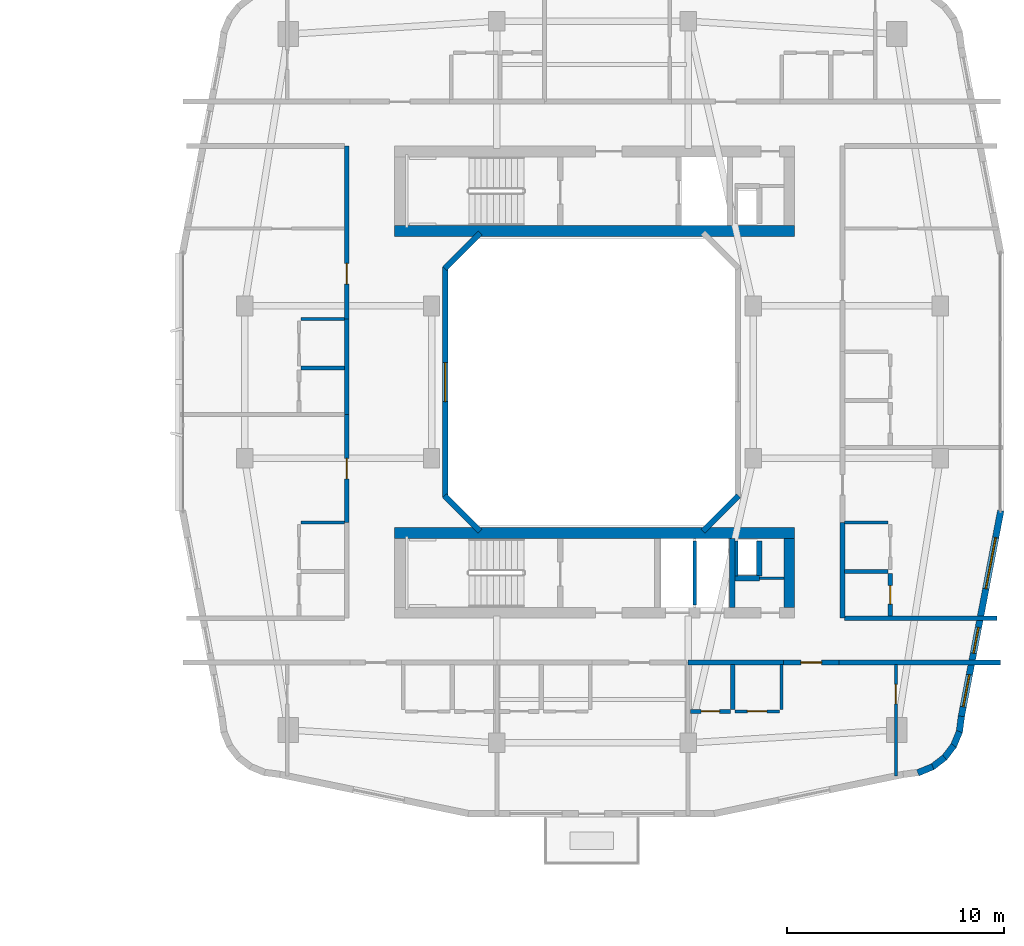
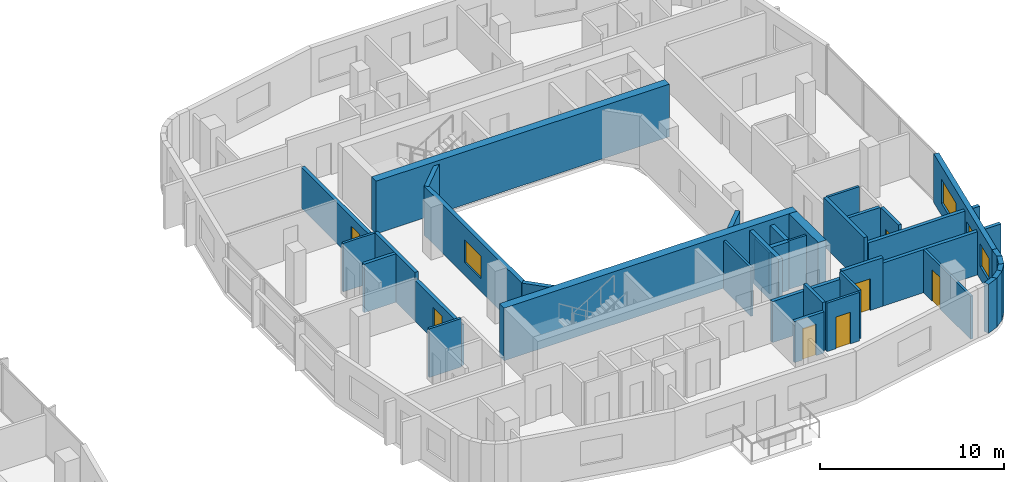
# One storey, part 14 of 22: 38 walls, 7 doors, 4 windows, 11 openings.
"""IFC4 building model written with IfcOpenShell, lengths in metres."""

import ifcopenshell
import ifcopenshell.guid

model = None  # the IFC model being written
_history = None  # IfcOwnerHistory: only IFC2X3 demands one
_inside = {}  # id of a spatial element -> (the spatial element, [elements in it])
_under = {}  # id of a project, library or spatial element -> (it, [spatial elements below it])
_declared = {}  # id of a project -> (the project, [libraries it declares])
_typed = {}  # id of a type object -> (the type object, [elements of that type])
_made_of = {}  # id of a material, layer set ... -> (it, [elements and type objects made of it])


def new_model(schema):
    """Start an empty IFC model of exactly this schema.

    Asked for "IFC4X3", IfcOpenShell would pick the latest addendum, in which some entities
    have other attributes; the version numbers below select the first issue.
    IFC2X3 requires an IfcOwnerHistory on every rooted entity: one is made here for all.
    """
    global model, _history
    if schema == "IFC4X3":
        model = ifcopenshell.file(schema_version=(4, 3, 0, 0))
    else:
        model = ifcopenshell.file(schema=schema)
    _inside.clear()
    _under.clear()
    _declared.clear()
    _typed.clear()
    _made_of.clear()
    _history = None
    if model.schema == "IFC2X3":
        org = make("IfcOrganization", Name="unknown")
        user = make(
            "IfcPersonAndOrganization",
            ThePerson=make("IfcPerson", FamilyName="unknown"),
            TheOrganization=org,
        )
        app = make(
            "IfcApplication",
            ApplicationDeveloper=org,
            Version="unknown",
            ApplicationFullName="unknown",
            ApplicationIdentifier="unknown",
        )
        _history = make(
            "IfcOwnerHistory",
            OwningUser=user,
            OwningApplication=app,
            ChangeAction="ADDED",
            CreationDate=0,
        )
    return model


def make(cls, **values):
    """One entity of the class cls with the attributes given. An attribute that is None is left unset."""
    return model.create_entity(
        cls, **{name: value for name, value in values.items() if value is not None}
    )


def rooted(cls, **values):
    """An entity with a GlobalId (a new one), such as an element, a storey or a relation."""
    return make(cls, GlobalId=ifcopenshell.guid.new(), OwnerHistory=_history, **values)


def si_unit(unit_type, name, prefix=None):
    """IfcSIUnit, for example si_unit("LENGTHUNIT", "METRE", prefix="MILLI")."""
    return make("IfcSIUnit", UnitType=unit_type, Prefix=prefix, Name=name)


def derived_unit(unit_type, elements):
    """IfcDerivedUnit: a product of units, each with its exponent."""
    return make(
        "IfcDerivedUnit",
        Elements=[
            make("IfcDerivedUnitElement", Unit=unit, Exponent=power)
            for unit, power in elements
        ],
        UnitType=unit_type,
    )


def assignment(units):
    """IfcUnitAssignment: the units of a project."""
    return None if units is None else make("IfcUnitAssignment", Units=units)


def point(xyz):
    """IfcCartesianPoint."""
    return None if xyz is None else make("IfcCartesianPoint", Coordinates=xyz)


def direction(xyz):
    """IfcDirection."""
    return None if xyz is None else make("IfcDirection", DirectionRatios=xyz)


def frame(location, z_axis=None, x_axis=None):
    """IfcAxis2Placement3D, a coordinate frame: its origin and axes. An axis left out is left unset."""
    return make(
        "IfcAxis2Placement3D",
        Location=point(location),
        Axis=direction(z_axis),
        RefDirection=direction(x_axis),
    )


def frame_2d(location, x_axis=None):
    """IfcAxis2Placement2D, a coordinate frame in the plane: its origin and x axis."""
    return make(
        "IfcAxis2Placement2D", Location=point(location), RefDirection=direction(x_axis)
    )


def origin():
    """The frame at (0, 0, 0) with its axes left unset."""
    return frame((0.0, 0.0, 0.0))


def place(relative_to, where):
    """IfcLocalPlacement: puts the frame where relative to a parent placement (None: the world)."""
    return make(
        "IfcLocalPlacement", PlacementRelTo=relative_to, RelativePlacement=where
    )


def context(
    kind, dimensions, precision=None, world=None, true_north=None, identifier=None
):
    """IfcGeometricRepresentationContext, for example the 3D "Model" context."""
    return make(
        "IfcGeometricRepresentationContext",
        ContextIdentifier=identifier,
        ContextType=kind,
        CoordinateSpaceDimension=dimensions,
        Precision=precision,
        WorldCoordinateSystem=world,
        TrueNorth=true_north,
    )


def subcontext(parent, identifier, kind, view, scale=None):
    """IfcGeometricRepresentationSubContext, for example "Body" below "Model"."""
    return make(
        "IfcGeometricRepresentationSubContext",
        ContextIdentifier=identifier,
        ContextType=kind,
        ParentContext=parent,
        TargetScale=scale,
        TargetView=view,
    )


def project(units=None, contexts=None):
    """IfcProject with its units and contexts."""
    return rooted(
        "IfcProject",
        Name="project",
        RepresentationContexts=contexts,
        UnitsInContext=assignment(units),
    )


def spatial(cls, under=None, at=None, **own):
    """A site, building, storey or space (cls), placed at a placement, below another one or the project."""
    s = rooted(cls, ObjectPlacement=at, **own)
    if under is not None:
        _under.setdefault(under.id(), (under, []))[1].append(s)
    return s


def profile(cls, at=None, kind="AREA", **sizes):
    """A parametric profile (cls). Its sizes go by their IFC names, for example OverallWidth=200.0."""
    return make(cls, ProfileType=kind, Position=at, **sizes)


def rectangle(**sizes):
    """IfcRectangleProfileDef."""
    return profile("IfcRectangleProfileDef", **sizes)


def extrude(swept, where, along, depth):
    """IfcExtrudedAreaSolid: the profile swept, set in the frame where, extruded along a direction by depth."""
    return make(
        "IfcExtrudedAreaSolid",
        SweptArea=swept,
        Position=where,
        ExtrudedDirection=direction(along),
        Depth=depth,
    )


def shape(context_of_items, identifier, shape_type, items):
    """IfcShapeRepresentation: the items that make up one representation, for example the "Body"."""
    return make(
        "IfcShapeRepresentation",
        ContextOfItems=context_of_items,
        RepresentationIdentifier=identifier,
        RepresentationType=shape_type,
        Items=items,
    )


def material(Name=None, Category=None):
    """IfcMaterial."""
    return make("IfcMaterial", Name=Name, Category=Category)


def layer(
    of_material, thickness, ventilated=None, Name=None, Category=None, Priority=None
):
    """IfcMaterialLayer: one layer of a wall or slab, of a material (None: an air gap)."""
    return make(
        "IfcMaterialLayer",
        Material=of_material,
        LayerThickness=thickness,
        IsVentilated=ventilated,
        Name=Name,
        Category=Category,
        Priority=Priority,
    )


def layer_set(layers, Name=None):
    """IfcMaterialLayerSet."""
    return make("IfcMaterialLayerSet", MaterialLayers=layers, LayerSetName=Name)


def made_of(thing, what):
    """Note that an element or type object is made of a material, layer set ...; save() writes the relation."""
    if what is not None:
        _made_of.setdefault(what.id(), (what, []))[1].append(thing)
    return thing


def type_object(cls, material=None, **own):
    """A type object (cls), such as IfcWallType, which elements share."""
    return made_of(rooted(cls, **own), material)


def element(
    cls,
    number,
    at=None,
    inside=None,
    cuts=None,
    type_object=None,
    material=None,
    context=None,
    identifier="Body",
    shape_type=None,
    held_by="IfcProductDefinitionShape",
    body=None,
    shapes=None,
    **own,
):
    """One element of the class cls, such as IfcWall. Its Tag is "e" and its number.

    at: its placement. inside: the storey or other place that contains it. cuts: it is an
    opening in that element (IfcRelVoidsElement). A single representation is given by context,
    identifier, shape_type and body (its items); several are given by shapes. held_by: the class
    of the entity that holds the representations. save() writes the other relations.
    """
    e = rooted(cls, Tag="e%d" % number, ObjectPlacement=at, **own)
    if body is not None:
        shapes = [shape(context, identifier, shape_type, body)]
    if shapes is not None:
        e.Representation = make(held_by, Representations=shapes)
    if inside is not None:
        _inside.setdefault(inside.id(), (inside, []))[1].append(e)
    if cuts is not None:
        rooted(
            "IfcRelVoidsElement", RelatingBuildingElement=cuts, RelatedOpeningElement=e
        )
    if type_object is not None:
        _typed.setdefault(type_object.id(), (type_object, []))[1].append(e)
    return made_of(e, material)


def fill(opening, filler):
    """IfcRelFillsElement: the door or window that sits in an opening."""
    return rooted(
        "IfcRelFillsElement",
        RelatingOpeningElement=opening,
        RelatedBuildingElement=filler,
    )


def aggregate(whole, parts):
    """IfcRelAggregates: a whole, such as a stair, and the parts it consists of."""
    return rooted("IfcRelAggregates", RelatingObject=whole, RelatedObjects=parts)


def save(model, path):
    """Write the relations noted so far, then the file.

    IfcRelAggregates (storeys below a building ...), IfcRelContainedInSpatialStructure (elements
    in a storey), IfcRelDefinesByType, IfcRelAssociatesMaterial and IfcRelDeclares: one each for
    every whole, place, type object, material and project.
    """
    for whole, parts in _under.values():
        aggregate(whole, parts)
    for where, things in _inside.values():
        rooted(
            "IfcRelContainedInSpatialStructure",
            RelatedElements=things,
            RelatingStructure=where,
        )
    for kind, things in _typed.values():
        rooted("IfcRelDefinesByType", RelatedObjects=things, RelatingType=kind)
    for what, things in _made_of.values():
        rooted("IfcRelAssociatesMaterial", RelatedObjects=things, RelatingMaterial=what)
    for by, libraries in _declared.values():
        rooted("IfcRelDeclares", RelatingContext=by, RelatedDefinitions=libraries)
    model.write(path)


model = new_model("IFC4")

# Units and contexts
model_context = context("Model", 3, precision=1e-05, world=origin(), true_north=direction((0.0, 1.0)))
body_context = subcontext(model_context, "Body", "Model", "MODEL_VIEW")
ifc_project = project(units=[si_unit("LENGTHUNIT", "METRE"), si_unit("AREAUNIT", "SQUARE_METRE"), si_unit("VOLUMEUNIT", "CUBIC_METRE"), si_unit("PLANEANGLEUNIT", "RADIAN"), si_unit("MASSUNIT", "GRAM", prefix="KILO"), derived_unit("THERMALTRANSMITTANCEUNIT", [(si_unit("POWERUNIT", "WATT"), 1), (si_unit("LENGTHUNIT", "METRE"), -2), (si_unit("THERMODYNAMICTEMPERATUREUNIT", "KELVIN"), -1)])], contexts=[model_context])

# Site, building, storey
site_placement = place(None, origin())
site = spatial("IfcSite", under=ifc_project, at=site_placement, CompositionType="ELEMENT")
building_placement = place(site_placement, origin())
building = spatial("IfcBuilding", under=site, at=building_placement, Name="Kivonza Crest Hotel", CompositionType="ELEMENT")
storey_placement = place(building_placement, frame((0.0, 0.0, 59.0)))
storey = spatial("IfcBuildingStorey", under=building, at=storey_placement, Name="L15", CompositionType="ELEMENT", Elevation=59.0)

# Walls
ifc_material_1 = material(Name="Autoclaved aerated concrete blockwork", Category="masonry")
ifc_layer_1 = layer(ifc_material_1, 0.219970703125)
ifc_layer_set_1 = layer_set([ifc_layer_1], Name="Autoclaved aerated concrete blockwork")
wall_type_1 = type_object("IfcWallType", Name="WL-ACOU-220", PredefinedType="SOLIDWALL", material=ifc_layer_set_1)
wall_1_placement = place(storey_placement, frame((81.39990234375, 12.10009765625, 0.0), z_axis=(0.0, 0.0, 1.0), x_axis=(1.0, 0.0, 0.0)))
element("IfcWall", 1, at=wall_1_placement, inside=storey, type_object=wall_type_1, Name="L15 interior partition WA-L15-A05-LCORR", PredefinedType="SOLIDWALL", context=body_context, shape_type="SweptSolid", body=[
    extrude(rectangle(XDim=4.380126953125, YDim=0.219970703125, at=frame_2d((2.18994140625, 0.0))), origin(), (0.0, 0.0, 1.0), 2.72509765625),
])
wall_2_placement = place(storey_placement, frame((88.35009765625, 12.10009765625, 0.0), z_axis=(0.0, 0.0, 1.0), x_axis=(1.0, 0.0, 0.0)))
element("IfcWall", 2, at=wall_2_placement, inside=storey, type_object=wall_type_1, Name="L15 interior partition WA-L15-A05-RCORR", PredefinedType="SOLIDWALL", context=body_context, shape_type="SweptSolid", body=[
    extrude(rectangle(XDim=7.409912109375, YDim=0.219970703125, at=frame_2d((3.705078125, 0.0))), origin(), (0.0, 0.0, 1.0), 2.864990234375),
])

# Wall, opening, door
wall_3_placement = place(storey_placement, frame((85.780029296875, 12.10009765625, 0.0), z_axis=(0.0, 0.0, 1.0), x_axis=(1.0, 0.0, 0.0)))
wall_3 = element("IfcWall", 3, at=wall_3_placement, inside=storey, type_object=wall_type_1, Name="L15 interior partition WA-L15-A05-MCORR", PredefinedType="SOLIDWALL", context=body_context, shape_type="SweptSolid", body=[
    extrude(rectangle(XDim=2.570068359375, YDim=0.219970703125, at=frame_2d((1.28515625, 0.0))), origin(), (0.0, 0.0, 1.0), 3.219970703125),
])
opening_1_placement = place(wall_3_placement, frame((0.81005859375, 0.0, 0.0)))
opening_1 = element("IfcOpeningElement", 4, at=opening_1_placement, cuts=wall_3, Name="Opening DU-60", PredefinedType="OPENING", context=body_context, shape_type="SweptSolid", body=[
    extrude(rectangle(XDim=0.949951171875, YDim=2.10009765625, at=frame_2d((0.47509765625, 1.050048828125))), frame((0.0, 0.1201171875, 0.0), z_axis=(0.0, -1.0, 0.0), x_axis=(1.0, 0.0, 0.0)), (0.0, 0.0, 1.0), 0.239990234375),
])
ifc_material_2 = material(Name="Hardwood timber oak", Category="wood")
door_type_1 = type_object("IfcDoorType", Name="DR-UNIT-950", OperationType="NOTDEFINED", PredefinedType="DOOR", material=ifc_material_2)
door_1_placement = place(opening_1_placement, frame((0.949951171875, 0.0, 0.0), z_axis=(0.0, 0.0, 1.0), x_axis=(-1.0, 0.0, 0.0)))
door_1 = element("IfcDoor", 5, at=door_1_placement, inside=storey, type_object=door_type_1, Name="L15 A05 apartment entrance fire door", OperationType="SINGLE_SWING_LEFT", OverallHeight=2.10009765625, OverallWidth=0.949951171875, PredefinedType="DOOR", context=body_context, shape_type="SweptSolid", body=[
    extrude(rectangle(XDim=0.949951171875, YDim=2.10009765625, at=frame_2d((0.47509765625, 1.050048828125))), frame((0.0, 0.02490234375, 0.0), z_axis=(0.0, -1.0, 0.0), x_axis=(1.0, 0.0, 0.0)), (0.0, 0.0, 1.0), 0.050048828125),
])
fill(opening_1, door_1)

wall_4_placement = place(storey_placement, frame((65.699951171875, 18.5400390625, 0.0), z_axis=(0.0, 0.0, 1.0), x_axis=(0.0, 1.0, 0.0)))
wall_4 = element("IfcWall", 6, at=wall_4_placement, inside=storey, type_object=wall_type_1, Name="L15 interior partition WA-L15-A06-MCORR", PredefinedType="SOLIDWALL", context=body_context, shape_type="SweptSolid", body=[
    extrude(rectangle(XDim=4.9599609375, YDim=0.219970703125, at=frame_2d((2.47998046875, 0.0))), origin(), (0.0, 0.0, 1.0), 2.72509765625),
])
opening_2_placement = place(wall_4_placement, frame((2.0048828125, 0.0, 0.0)))
opening_2 = element("IfcOpeningElement", 7, at=opening_2_placement, cuts=wall_4, Name="Opening DU-60", PredefinedType="OPENING", context=body_context, shape_type="SweptSolid", body=[
    extrude(rectangle(XDim=0.949951171875, YDim=2.10009765625, at=frame_2d((0.47509765625, 1.050048828125))), frame((0.0, 0.1201171875, 0.0), z_axis=(0.0, -1.0, 0.0), x_axis=(1.0, 0.0, 0.0)), (0.0, 0.0, 1.0), 0.239990234375),
])
door_2_placement = place(opening_2_placement, origin())
door_2 = element("IfcDoor", 8, at=door_2_placement, inside=storey, type_object=door_type_1, Name="L15 A06 apartment entrance fire door", OperationType="SINGLE_SWING_RIGHT", OverallHeight=2.10009765625, OverallWidth=0.949951171875, PredefinedType="DOOR", context=body_context, shape_type="SweptSolid", body=[
    extrude(rectangle(XDim=0.949951171875, YDim=2.10009765625, at=frame_2d((0.47509765625, 1.050048828125))), frame((0.0, 0.02490234375, 0.0), z_axis=(0.0, -1.0, 0.0), x_axis=(1.0, 0.0, 0.0)), (0.0, 0.0, 1.0), 0.050048828125),
])
fill(opening_2, door_2)

# Wall
wall_5_placement = place(storey_placement, frame((65.699951171875, 23.5, 0.0), z_axis=(0.0, 0.0, 1.0), x_axis=(0.0, 1.0, 0.0)))
element("IfcWall", 9, at=wall_5_placement, inside=storey, type_object=wall_type_1, Name="L15 interior partition WA-L15-A07-BCORR", PredefinedType="SOLIDWALL", context=body_context, shape_type="SweptSolid", body=[
    extrude(rectangle(XDim=4.39990234375, YDim=0.219970703125, at=frame_2d((2.199951171875, 0.0))), origin(), (0.0, 0.0, 1.0), 3.219970703125),
])

# Wall, opening, door
wall_6_placement = place(storey_placement, frame((65.699951171875, 27.89990234375, 0.0), z_axis=(0.0, 0.0, 1.0), x_axis=(0.0, 1.0, 0.0)))
wall_6 = element("IfcWall", 10, at=wall_6_placement, inside=storey, type_object=wall_type_1, Name="L15 interior partition WA-L15-A07-MCORR", PredefinedType="SOLIDWALL", context=body_context, shape_type="SweptSolid", body=[
    extrude(rectangle(XDim=7.960205078125, YDim=0.219970703125, at=frame_2d((3.97998046875, 0.0))), origin(), (0.0, 0.0, 1.0), 2.72509765625),
])
opening_3_placement = place(wall_6_placement, frame((1.60498046875, 0.0, 0.0)))
opening_3 = element("IfcOpeningElement", 11, at=opening_3_placement, cuts=wall_6, Name="Opening DU-60", PredefinedType="OPENING", context=body_context, shape_type="SweptSolid", body=[
    extrude(rectangle(XDim=0.949951171875, YDim=2.10009765625, at=frame_2d((0.47509765625, 1.050048828125))), frame((0.0, 0.1201171875, 0.0), z_axis=(0.0, -1.0, 0.0), x_axis=(1.0, 0.0, 0.0)), (0.0, 0.0, 1.0), 0.239990234375),
])
door_3_placement = place(opening_3_placement, origin())
door_3 = element("IfcDoor", 12, at=door_3_placement, inside=storey, type_object=door_type_1, Name="L15 A07 apartment entrance fire door", OperationType="SINGLE_SWING_LEFT", OverallHeight=2.10009765625, OverallWidth=0.949951171875, PredefinedType="DOOR", context=body_context, shape_type="SweptSolid", body=[
    extrude(rectangle(XDim=0.949951171875, YDim=2.10009765625, at=frame_2d((0.47509765625, 1.050048828125))), frame((0.0, 0.02490234375, 0.0), z_axis=(0.0, -1.0, 0.0), x_axis=(1.0, 0.0, 0.0)), (0.0, 0.0, 1.0), 0.050048828125),
])
fill(opening_3, door_3)

# Walls
wall_7_placement = place(storey_placement, frame((88.60009765625, 14.139892578125, 0.0), z_axis=(0.0, 0.0, 1.0), x_axis=(1.0, 0.0, 0.0)))
element("IfcWall", 13, at=wall_7_placement, inside=storey, type_object=wall_type_1, Name="L15 interior partition WA-L15-T2E-ENDS", PredefinedType="SOLIDWALL", context=body_context, shape_type="SweptSolid", body=[
    extrude(rectangle(XDim=7.0, YDim=0.219970703125, at=frame_2d((3.5, 0.0))), origin(), (0.0, 0.0, 1.0), 2.864990234375),
])
wall_8_placement = place(storey_placement, frame((88.5, 14.139892578125, 0.0), z_axis=(0.0, 0.0, 1.0), x_axis=(0.0, 1.0, 0.0)))
element("IfcWall", 14, at=wall_8_placement, inside=storey, type_object=wall_type_1, Name="L15 interior partition WA-L15-A08-BCORR", PredefinedType="SOLIDWALL", context=body_context, shape_type="SweptSolid", body=[
    extrude(rectangle(XDim=4.400146484375, YDim=0.219970703125, at=frame_2d((2.2001953125, 0.0))), origin(), (0.0, 0.0, 1.0), 3.219970703125),
])
ifc_material_3 = material(Name="Concrete C60/75", Category="concrete")
ifc_layer_2 = layer(ifc_material_3, 0.5)
ifc_layer_set_2 = layer_set([ifc_layer_2], Name="Concrete C60/75")
wall_type_2 = type_object("IfcWallType", Name="WL-CORE-500", PredefinedType="SHEAR", material=ifc_layer_set_2)
for number, where, z_axis, x_axis, name in (
    (15, (67.89990234375, 31.949951171875, 0.0), (0.0, 0.0, 1.0), (1.0, 0.0, 0.0), "Core wall T2-N South L15"),
    (16, (67.89990234375, 18.050048828125, 0.0), (0.0, 0.0, 1.0), (1.0, 0.0, 0.0), "Core wall T2-S North L15"),
):
    element("IfcWall", number, at=place(storey_placement, frame(where, z_axis=z_axis, x_axis=x_axis)), inside=storey, type_object=wall_type_2, Name=name, PredefinedType="SHEAR", context=body_context, shape_type="SweptSolid", body=[
        extrude(rectangle(XDim=18.400146484375, YDim=0.5, at=frame_2d((9.2001953125, 0.0))), origin(), (0.0, 0.0, 1.0), 3.5),
    ])
wall_9_placement = place(storey_placement, frame((86.050048828125, 14.639892578125, 0.0), z_axis=(0.0, 0.0, 1.0), x_axis=(0.0, 1.0, 0.0)))
element("IfcWall", 17, at=wall_9_placement, inside=storey, type_object=wall_type_2, Name="Core wall T2-S East L15", PredefinedType="SHEAR", context=body_context, shape_type="SweptSolid", body=[
    extrude(rectangle(XDim=3.16015625, YDim=0.5, at=frame_2d((1.580078125, 0.0))), origin(), (0.0, 0.0, 1.0), 3.5),
])
ifc_material_4 = material(Name="Precast concrete C40/50", Category="concrete")
ifc_layer_3 = layer(ifc_material_4, 0.260009765625)
ifc_layer_set_3 = layer_set([ifc_layer_3], Name="Precast concrete C40/50")
wall_type_3 = type_object("IfcWallType", Name="WL-EXT-260", PredefinedType="STANDARD", material=ifc_layer_set_3)
for number, where, z_axis, x_axis, name in (
    (18, (82.08203125, 18.137939453125, 0.0), (0.0, 0.0, 1.0), (0.707106781187, 0.707106781187, 0.0), "L15 T2 light-well exterior wall 2"),
    (19, (71.837890625, 31.862060546875, 0.0), (0.0, 0.0, 1.0), (-0.707053950914, -0.707159607512, 0.0), "L15 T2 light-well exterior wall 6"),
):
    element("IfcWall", number, at=place(storey_placement, frame(where, z_axis=z_axis, x_axis=x_axis)), inside=storey, type_object=wall_type_3, Name=name, PredefinedType="STANDARD", context=body_context, shape_type="SweptSolid", body=[
        extrude(rectangle(XDim=2.310791015625, YDim=0.260009765625, at=frame_2d((1.1552734375, 0.0))), origin(), (0.0, 0.0, 1.0), 3.25),
    ])

# Wall, opening, window
wall_10_placement = place(storey_placement, frame((70.22998046875, 30.2900390625, 0.0), z_axis=(0.0, 0.0, 1.0), x_axis=(0.0, -1.0, 0.0)))
wall_10 = element("IfcWall", 20, at=wall_10_placement, inside=storey, type_object=wall_type_3, Name="L15 T2 light-well exterior wall 7", PredefinedType="STANDARD", context=body_context, shape_type="SweptSolid", body=[
    extrude(rectangle(XDim=10.580078125, YDim=0.260009765625, at=frame_2d((5.2900390625, 0.0))), origin(), (0.0, 0.0, 1.0), 3.25),
])
opening_4_placement = place(wall_10_placement, frame((4.389892578125, 0.0, 0.85009765625)))
opening_4 = element("IfcOpeningElement", 21, at=opening_4_placement, cuts=wall_10, Name="Opening WN-03", PredefinedType="OPENING", context=body_context, shape_type="SweptSolid", body=[
    extrude(rectangle(XDim=1.800048828125, YDim=1.5, at=frame_2d((0.89990234375, 0.75))), frame((0.0, 0.14013671875, 0.0), z_axis=(0.0, -1.0, 0.0), x_axis=(1.0, 0.0, 0.0)), (0.0, 0.0, 1.0), 0.280029296875),
])
ifc_material_5 = material(Name="Thermally broken bronze aluminium and low-E double glazing", Category="aluminium")
window_type_1 = type_object("IfcWindowType", Name="WN-180x150", PartitioningType="DOUBLE_PANEL_VERTICAL", PredefinedType="WINDOW", material=ifc_material_5)
window_1_placement = place(opening_4_placement, origin())
window_1 = element("IfcWindow", 22, at=window_1_placement, inside=storey, type_object=window_type_1, Name="L15 T2 light-well window 7", OverallHeight=1.5, OverallWidth=1.800048828125, PartitioningType="SINGLE_PANEL", PredefinedType="WINDOW", context=body_context, shape_type="SweptSolid", body=[
    extrude(rectangle(XDim=1.800048828125, YDim=1.5, at=frame_2d((0.89990234375, 0.75))), frame((0.0, 0.030029296875, 0.0), z_axis=(0.0, -1.0, 0.0), x_axis=(1.0, 0.0, 0.0)), (0.0, 0.0, 1.0), 0.06005859375),
])
fill(opening_4, window_1)

# Walls
wall_11_placement = place(storey_placement, frame((70.2041015625, 19.77197265625, 0.0), z_axis=(0.0, 0.0, 1.0), x_axis=(0.707053950914, -0.707159607512, 0.0)))
element("IfcWall", 23, at=wall_11_placement, inside=storey, type_object=wall_type_3, Name="L15 T2 light-well exterior wall 8", PredefinedType="STANDARD", context=body_context, shape_type="SweptSolid", body=[
    extrude(rectangle(XDim=2.310791015625, YDim=0.260009765625, at=frame_2d((1.1552734375, 0.0))), origin(), (0.0, 0.0, 1.0), 3.25),
])
ifc_layer_4 = layer(ifc_material_4, 0.300048828125)
ifc_layer_set_4 = layer_set([ifc_layer_4], Name="Precast concrete C40/50")
wall_type_4 = type_object("IfcWallType", Name="WL-EXT-300", PredefinedType="STANDARD", material=ifc_layer_set_4)
for number, where, z_axis, x_axis, name in (
    (24, (91.965087890625, 7.02392578125, 0.0), (0.0, 0.0, 1.0), (0.923521684703, 0.383546213491, 0.0), "L15 T2 exterior insulated wall 11"),
    (25, (92.60888671875, 7.279052734375, 0.0), (0.0, 0.0, 1.0), (0.79363269798, 0.608397189915, 0.0), "L15 T2 exterior insulated wall 12"),
    (26, (93.166015625, 7.69091796875, 0.0), (0.0, 0.0, 1.0), (0.608603261071, 0.793474681772, 0.0), "L15 T2 exterior insulated wall 13"),
):
    element("IfcWall", number, at=place(storey_placement, frame(where, z_axis=z_axis, x_axis=x_axis)), inside=storey, type_object=wall_type_4, Name=name, PredefinedType="STANDARD", context=body_context, shape_type="SweptSolid", body=[
        extrude(rectangle(XDim=0.74609375, YDim=0.300048828125, at=frame_2d((0.373046875, 0.0))), origin(), (0.0, 0.0, 1.0), 3.25),
    ])
wall_12_placement = place(storey_placement, frame((93.595947265625, 8.23388671875, 0.0), z_axis=(0.0, 0.0, 1.0), x_axis=(0.383430326427, 0.923569805037, 0.0)))
element("IfcWall", 27, at=wall_12_placement, inside=storey, type_object=wall_type_4, Name="L15 T2 exterior insulated wall 14", PredefinedType="STANDARD", context=body_context, shape_type="SweptSolid", body=[
    extrude(rectangle(XDim=0.746337890625, YDim=0.300048828125, at=frame_2d((0.373046875, 0.0))), origin(), (0.0, 0.0, 1.0), 3.25),
])
wall_13_placement = place(storey_placement, frame((93.873046875, 8.868896484375, 0.0), z_axis=(0.0, 0.0, 1.0), x_axis=(0.129339184068, 0.991600411186, 0.0)))
element("IfcWall", 28, at=wall_13_placement, inside=storey, type_object=wall_type_4, Name="L15 T2 exterior insulated wall 15", PredefinedType="STANDARD", context=body_context, shape_type="SweptSolid", body=[
    extrude(rectangle(XDim=0.764404296875, YDim=0.300048828125, at=frame_2d((0.38232421875, 0.0))), origin(), (0.0, 0.0, 1.0), 3.25),
])

# Wall, openings, windows
wall_14_placement = place(storey_placement, frame((93.970947265625, 9.6201171875, 0.0), z_axis=(0.0, 0.0, 1.0), x_axis=(0.188087874316, 0.982152203854, 0.0)))
wall_14 = element("IfcWall", 29, at=wall_14_placement, inside=storey, type_object=wall_type_4, Name="L15 T2 exterior insulated wall 16", PredefinedType="STANDARD", context=body_context, shape_type="SweptSolid", body=[
    extrude(rectangle(XDim=9.6337890625, YDim=0.300048828125, at=frame_2d((4.81689453125, 0.0))), origin(), (0.0, 0.0, 1.0), 3.25),
])
opening_5_placement = place(wall_14_placement, frame((0.451904296875, 0.0, 0.85009765625)))
opening_5 = element("IfcOpeningElement", 30, at=opening_5_placement, cuts=wall_14, Name="Opening WN-02", PredefinedType="OPENING", context=body_context, shape_type="SweptSolid", body=[
    extrude(rectangle(XDim=1.5, YDim=1.5, at=frame_2d((0.75, 0.75))), frame((0.0, 0.16015625, 0.0), z_axis=(0.0, -1.0, 0.0), x_axis=(1.0, 0.0, 0.0)), (0.0, 0.0, 1.0), 0.320068359375),
])
opening_6_placement = place(wall_14_placement, frame((2.964111328125, 0.0, 0.85009765625)))
opening_6 = element("IfcOpeningElement", 31, at=opening_6_placement, cuts=wall_14, Name="Opening WN-01", PredefinedType="OPENING", context=body_context, shape_type="SweptSolid", body=[
    extrude(rectangle(XDim=1.199951171875, YDim=1.5, at=frame_2d((0.60009765625, 0.75))), frame((0.0, 0.16015625, 0.0), z_axis=(0.0, -1.0, 0.0), x_axis=(1.0, 0.0, 0.0)), (0.0, 0.0, 1.0), 0.320068359375),
])
opening_7_placement = place(wall_14_placement, frame((5.97900390625, 0.0, 0.800048828125)))
opening_7 = element("IfcOpeningElement", 32, at=opening_7_placement, cuts=wall_14, Name="Opening WN-05", PredefinedType="OPENING", context=body_context, shape_type="SweptSolid", body=[
    extrude(rectangle(XDim=2.39990234375, YDim=1.60009765625, at=frame_2d((1.199951171875, 0.800048828125))), frame((0.0, 0.16015625, 0.0), z_axis=(0.0, -1.0, 0.0), x_axis=(1.0, 0.0, 0.0)), (0.0, 0.0, 1.0), 0.320068359375),
])
window_type_2 = type_object("IfcWindowType", Name="WN-120x150", PartitioningType="SINGLE_PANEL", PredefinedType="WINDOW", material=ifc_material_5)
window_2_placement = place(opening_6_placement, origin())
window_2 = element("IfcWindow", 33, at=window_2_placement, inside=storey, type_object=window_type_2, Name="L15 T2 facade window 16 bay 2", OverallHeight=1.5, OverallWidth=1.199951171875, PartitioningType="SINGLE_PANEL", PredefinedType="WINDOW", context=body_context, shape_type="SweptSolid", body=[
    extrude(rectangle(XDim=1.199951171875, YDim=1.5, at=frame_2d((0.60009765625, 0.75))), frame((0.0, 0.030029296875, 0.0), z_axis=(0.0, -1.0, 0.0), x_axis=(1.0, 0.0, 0.0)), (0.0, 0.0, 1.0), 0.06005859375),
])
fill(opening_6, window_2)
window_type_3 = type_object("IfcWindowType", Name="WN-150x150", PartitioningType="DOUBLE_PANEL_VERTICAL", PredefinedType="WINDOW", material=ifc_material_5)
window_3_placement = place(opening_5_placement, origin())
window_3 = element("IfcWindow", 34, at=window_3_placement, inside=storey, type_object=window_type_3, Name="L15 T2 facade window 16 bay 1", OverallHeight=1.5, OverallWidth=1.5, PartitioningType="SINGLE_PANEL", PredefinedType="WINDOW", context=body_context, shape_type="SweptSolid", body=[
    extrude(rectangle(XDim=1.5, YDim=1.5, at=frame_2d((0.75, 0.75))), frame((0.0, 0.030029296875, 0.0), z_axis=(0.0, -1.0, 0.0), x_axis=(1.0, 0.0, 0.0)), (0.0, 0.0, 1.0), 0.06005859375),
])
fill(opening_5, window_3)
window_type_4 = type_object("IfcWindowType", Name="WN-240x160", PartitioningType="TRIPLE_PANEL_VERTICAL", PredefinedType="WINDOW", material=ifc_material_5)
window_4_placement = place(opening_7_placement, origin())
window_4 = element("IfcWindow", 35, at=window_4_placement, inside=storey, type_object=window_type_4, Name="L15 T2 facade window 16 bay 3", OverallHeight=1.60009765625, OverallWidth=2.39990234375, PartitioningType="SINGLE_PANEL", PredefinedType="WINDOW", context=body_context, shape_type="SweptSolid", body=[
    extrude(rectangle(XDim=2.39990234375, YDim=1.60009765625, at=frame_2d((1.199951171875, 0.800048828125))), frame((0.0, 0.030029296875, 0.0), z_axis=(0.0, -1.0, 0.0), x_axis=(1.0, 0.0, 0.0)), (0.0, 0.0, 1.0), 0.06005859375),
])
fill(opening_7, window_4)

# Walls
ifc_material_6 = material(Name="Concrete blockwork fire-compartment wall", Category="masonry")
ifc_layer_5 = layer(ifc_material_6, 0.25)
ifc_layer_set_5 = layer_set([ifc_layer_5], Name="Concrete blockwork fire-compartment wall")
wall_type_5 = type_object("IfcWallType", Name="WL-FIRE-250", PredefinedType="SOLIDWALL", material=ifc_layer_set_5)
wall_15_placement = place(storey_placement, frame((84.679931640625, 16.080078125, 0.0), z_axis=(0.0, 0.0, 1.0), x_axis=(0.0, 1.0, 0.0)))
element("IfcWall", 36, at=wall_15_placement, inside=storey, type_object=wall_type_5, Name="L15 interior partition WA-L15-T2-S-MEPR-E", PredefinedType="SOLIDWALL", context=body_context, shape_type="SweptSolid", body=[
    extrude(rectangle(XDim=1.619873046875, YDim=0.25, at=frame_2d((0.81005859375, 0.0))), origin(), (0.0, 0.0, 1.0), 3.219970703125),
])
wall_16_placement = place(storey_placement, frame((83.550048828125, 15.97998046875, 0.0), z_axis=(0.0, 0.0, 1.0), x_axis=(1.0, 0.0, 0.0)))
element("IfcWall", 37, at=wall_16_placement, inside=storey, type_object=wall_type_5, Name="L15 interior partition WA-L15-T2-S-MEPR-H", PredefinedType="SOLIDWALL", context=body_context, shape_type="SweptSolid", body=[
    extrude(rectangle(XDim=1.1298828125, YDim=0.25, at=frame_2d((0.56494140625, 0.0))), origin(), (0.0, 0.0, 1.0), 3.219970703125),
])
ifc_material_7 = material(Name="Metal-stud gypsum board partition", Category="gypsum")
ifc_layer_6 = layer(ifc_material_7, 0.125)
ifc_layer_set_6 = layer_set([ifc_layer_6], Name="Metal-stud gypsum board partition")
wall_type_6 = type_object("IfcWallType", Name="WL-PART-125", PredefinedType="PARTITIONING", material=ifc_layer_set_6)
wall_17_placement = place(storey_placement, frame((84.679931640625, 15.97998046875, 0.0), z_axis=(0.0, 0.0, 1.0), x_axis=(1.0, 0.0, 0.0)))
element("IfcWall", 38, at=wall_17_placement, inside=storey, type_object=wall_type_6, Name="L15 interior partition WP-L15-T2-S-T2H", PredefinedType="PARTITIONING", context=body_context, shape_type="SweptSolid", body=[
    extrude(rectangle(XDim=1.1201171875, YDim=0.125, at=frame_2d((0.56005859375, 0.0))), origin(), (0.0, 0.0, 1.0), 3.219970703125),
])
ifc_material_8 = material(Name="Twin-stud acoustic gypsum board partition", Category="gypsum")
ifc_layer_7 = layer(ifc_material_8, 0.14990234375)
ifc_layer_set_7 = layer_set([ifc_layer_7], Name="Twin-stud acoustic gypsum board partition")
wall_type_7 = type_object("IfcWallType", Name="WL-PART-150", PredefinedType="PARTITIONING", material=ifc_layer_set_7)
wall_18_placement = place(storey_placement, frame((83.6298828125, 16.080078125, 0.0), z_axis=(0.0, 0.0, 1.0), x_axis=(0.0, 1.0, 0.0)))
element("IfcWall", 39, at=wall_18_placement, inside=storey, type_object=wall_type_7, Name="L15 interior partition WA-L15-T2-S-MEPR-W", PredefinedType="PARTITIONING", context=body_context, shape_type="SweptSolid", body=[
    extrude(rectangle(XDim=1.619873046875, YDim=0.14990234375, at=frame_2d((0.81005859375, 0.0))), origin(), (0.0, 0.0, 1.0), 2.72509765625),
])
wall_19_placement = place(storey_placement, frame((81.699951171875, 14.739990234375, 0.0), z_axis=(0.0, 0.0, 1.0), x_axis=(0.0, 1.0, 0.0)))
element("IfcWall", 40, at=wall_19_placement, inside=storey, type_object=wall_type_7, Name="L15 interior partition WP-L15-T2-S-BSH-1", PredefinedType="PARTITIONING", context=body_context, shape_type="SweptSolid", body=[
    extrude(rectangle(XDim=2.9599609375, YDim=0.14990234375, at=frame_2d((1.47998046875, 0.0))), origin(), (0.0, 0.0, 1.0), 3.219970703125),
])

# Wall, opening, door
wall_20_placement = place(storey_placement, frame((90.9599609375, 6.886962890625, 0.0), z_axis=(0.0, 0.0, 1.0), x_axis=(0.0, 1.0, 0.0)))
wall_20 = element("IfcWall", 41, at=wall_20_placement, inside=storey, type_object=wall_type_7, Name="L15 interior partition WP-L15-A05-BDW1", PredefinedType="PARTITIONING", context=body_context, shape_type="SweptSolid", body=[
    extrude(rectangle(XDim=5.113037109375, YDim=0.14990234375, at=frame_2d((2.556640625, 0.0))), origin(), (0.0, 0.0, 1.0), 2.864990234375),
])
opening_8_placement = place(wall_20_placement, frame((3.31005859375, 0.0, 0.0)))
opening_8 = element("IfcOpeningElement", 42, at=opening_8_placement, cuts=wall_20, Name="Opening DI-90", PredefinedType="OPENING", context=body_context, shape_type="SweptSolid", body=[
    extrude(rectangle(XDim=0.89990234375, YDim=2.10009765625, at=frame_2d((0.449951171875, 1.050048828125))), frame((0.0, 0.0849609375, 0.0), z_axis=(0.0, -1.0, 0.0), x_axis=(1.0, 0.0, 0.0)), (0.0, 0.0, 1.0), 0.169921875),
])
door_type_2 = type_object("IfcDoorType", Name="DR-INT-900", OperationType="NOTDEFINED", PredefinedType="DOOR", material=ifc_material_2)
door_4_placement = place(opening_8_placement, origin())
door_4 = element("IfcDoor", 43, at=door_4_placement, inside=storey, type_object=door_type_2, Name="L15 A05 bedroom 1 door", OperationType="SINGLE_SWING_RIGHT", OverallHeight=2.10009765625, OverallWidth=0.89990234375, PredefinedType="DOOR", context=body_context, shape_type="SweptSolid", body=[
    extrude(rectangle(XDim=0.89990234375, YDim=2.10009765625, at=frame_2d((0.449951171875, 1.050048828125))), frame((0.0, 0.02490234375, 0.0), z_axis=(0.0, -1.0, 0.0), x_axis=(1.0, 0.0, 0.0)), (0.0, 0.0, 1.0), 0.050048828125),
])
fill(opening_8, door_4)

# Wall
wall_21_placement = place(storey_placement, frame((85.699951171875, 9.949951171875, 0.0), z_axis=(0.0, 0.0, 1.0), x_axis=(0.0, 1.0, 0.0)))
element("IfcWall", 44, at=wall_21_placement, inside=storey, type_object=wall_type_7, Name="L15 interior partition WP-L15-A05-KF", PredefinedType="PARTITIONING", context=body_context, shape_type="SweptSolid", body=[
    extrude(rectangle(XDim=2.050048828125, YDim=0.14990234375, at=frame_2d((1.02490234375, 0.0))), origin(), (0.0, 0.0, 1.0), 3.219970703125),
])

# Wall, opening, door
wall_22_placement = place(storey_placement, frame((83.550048828125, 9.85009765625, 0.0), z_axis=(0.0, 0.0, 1.0), x_axis=(1.0, 0.0, 0.0)))
wall_22 = element("IfcWall", 45, at=wall_22_placement, inside=storey, type_object=wall_type_7, Name="L15 interior partition WP-L15-A05-KSVC", PredefinedType="PARTITIONING", context=body_context, shape_type="SweptSolid", body=[
    extrude(rectangle(XDim=2.050048828125, YDim=0.14990234375, at=frame_2d((1.02490234375, 0.0))), origin(), (0.0, 0.0, 1.0), 3.219970703125),
])
opening_9_placement = place(wall_22_placement, frame((0.574951171875, 0.0, 0.0)))
opening_9 = element("IfcOpeningElement", 46, at=opening_9_placement, cuts=wall_22, Name="Opening DI-90", PredefinedType="OPENING", context=body_context, shape_type="SweptSolid", body=[
    extrude(rectangle(XDim=0.89990234375, YDim=2.10009765625, at=frame_2d((0.449951171875, 1.050048828125))), frame((0.0, 0.0849609375, 0.0), z_axis=(0.0, -1.0, 0.0), x_axis=(1.0, 0.0, 0.0)), (0.0, 0.0, 1.0), 0.169921875),
])
door_5_placement = place(opening_9_placement, frame((0.89990234375, 0.0, 0.0), z_axis=(0.0, 0.0, 1.0), x_axis=(-1.0, 0.0, 0.0)))
door_5 = element("IfcDoor", 47, at=door_5_placement, inside=storey, type_object=door_type_2, Name="L15 A05 apartment kitchen door", OperationType="SINGLE_SWING_LEFT", OverallHeight=2.10009765625, OverallWidth=0.89990234375, PredefinedType="DOOR", context=body_context, shape_type="SweptSolid", body=[
    extrude(rectangle(XDim=0.89990234375, YDim=2.10009765625, at=frame_2d((0.449951171875, 1.050048828125))), frame((0.0, 0.02490234375, 0.0), z_axis=(0.0, -1.0, 0.0), x_axis=(1.0, 0.0, 0.0)), (0.0, 0.0, 1.0), 0.050048828125),
])
fill(opening_9, door_5)

# Walls
for number, where, z_axis, x_axis, name in (
    (48, (63.60009765625, 18.5400390625, 0.0), (0.0, 0.0, 1.0), (1.0, 0.0, 0.0), "L15 interior partition WP-L15-A06-KF"),
    (49, (63.60009765625, 27.89990234375, 0.0), (0.0, 0.0, 1.0), (1.0, 0.0, 0.0), "L15 interior partition WP-L15-A07-KF"),
    (50, (88.60009765625, 18.5400390625, 0.0), (0.0, 0.0, 1.0), (1.0, 0.0, 0.0), "L15 interior partition WP-L15-A08-KF"),
):
    element("IfcWall", number, at=place(storey_placement, frame(where, z_axis=z_axis, x_axis=x_axis)), inside=storey, type_object=wall_type_7, Name=name, PredefinedType="PARTITIONING", context=body_context, shape_type="SweptSolid", body=[
        extrude(rectangle(XDim=2.0, YDim=0.14990234375, at=frame_2d((1.0, 0.0))), origin(), (0.0, 0.0, 1.0), 3.219970703125),
    ])
ifc_material_9 = material(Name="Moisture-resistant plumbing chase partition wall", Category="gypsum")
ifc_layer_8 = layer(ifc_material_9, 0.199951171875)
ifc_layer_set_8 = layer_set([ifc_layer_8], Name="Moisture-resistant plumbing chase partition wall")
wall_type_8 = type_object("IfcWallType", Name="WL-PLUMB-200", PredefinedType="PLUMBINGWALL", material=ifc_layer_set_8)
wall_23_placement = place(storey_placement, frame((83.449951171875, 9.949951171875, 0.0), z_axis=(0.0, 0.0, 1.0), x_axis=(0.0, 1.0, 0.0)))
element("IfcWall", 51, at=wall_23_placement, inside=storey, type_object=wall_type_8, Name="L15 interior partition WW-L15-A05-BK", PredefinedType="PLUMBINGWALL", context=body_context, shape_type="SweptSolid", body=[
    extrude(rectangle(XDim=2.050048828125, YDim=0.199951171875, at=frame_2d((1.02490234375, 0.0))), origin(), (0.0, 0.0, 1.0), 3.219970703125),
])

# Wall, opening, door
wall_24_placement = place(storey_placement, frame((81.5, 9.85009765625, 0.0), z_axis=(0.0, 0.0, 1.0), x_axis=(1.0, 0.0, 0.0)))
wall_24 = element("IfcWall", 52, at=wall_24_placement, inside=storey, type_object=wall_type_8, Name="L15 interior partition WW-L15-A05-BSVC", PredefinedType="PLUMBINGWALL", context=body_context, shape_type="SweptSolid", body=[
    extrude(rectangle(XDim=1.85009765625, YDim=0.199951171875, at=frame_2d((0.925048828125, 0.0))), origin(), (0.0, 0.0, 1.0), 2.72509765625),
])
opening_10_placement = place(wall_24_placement, frame((0.5, 0.0, 0.0)))
opening_10 = element("IfcOpeningElement", 53, at=opening_10_placement, cuts=wall_24, Name="Opening DI-85", PredefinedType="OPENING", context=body_context, shape_type="SweptSolid", body=[
    extrude(rectangle(XDim=0.85009765625, YDim=2.10009765625, at=frame_2d((0.425048828125, 1.050048828125))), frame((0.0, 0.10986328125, 0.0), z_axis=(0.0, -1.0, 0.0), x_axis=(1.0, 0.0, 0.0)), (0.0, 0.0, 1.0), 0.219970703125),
])
door_type_3 = type_object("IfcDoorType", Name="DR-INT-850", OperationType="NOTDEFINED", PredefinedType="DOOR", material=ifc_material_2)
door_6_placement = place(opening_10_placement, frame((0.85009765625, 0.0, 0.0), z_axis=(0.0, 0.0, 1.0), x_axis=(-1.0, 0.0, 0.0)))
door_6 = element("IfcDoor", 54, at=door_6_placement, inside=storey, type_object=door_type_3, Name="L15 A05 apartment bathroom door", OperationType="SINGLE_SWING_RIGHT", OverallHeight=2.10009765625, OverallWidth=0.85009765625, PredefinedType="DOOR", context=body_context, shape_type="SweptSolid", body=[
    extrude(rectangle(XDim=0.85009765625, YDim=2.10009765625, at=frame_2d((0.425048828125, 1.050048828125))), frame((0.0, 0.02490234375, 0.0), z_axis=(0.0, -1.0, 0.0), x_axis=(1.0, 0.0, 0.0)), (0.0, 0.0, 1.0), 0.050048828125),
])
fill(opening_10, door_6)

# Walls
for number, where, z_axis, x_axis, name in (
    (55, (63.60009765625, 25.64990234375, 0.0), (0.0, 0.0, 1.0), (1.0, 0.0, 0.0), "L15 interior partition WW-L15-A07-BK"),
    (56, (88.60009765625, 16.2900390625, 0.0), (0.0, 0.0, 1.0), (1.0, 0.0, 0.0), "L15 interior partition WW-L15-A08-BK"),
):
    element("IfcWall", number, at=place(storey_placement, frame(where, z_axis=z_axis, x_axis=x_axis)), inside=storey, type_object=wall_type_8, Name=name, PredefinedType="PLUMBINGWALL", context=body_context, shape_type="SweptSolid", body=[
        extrude(rectangle(XDim=2.0, YDim=0.199951171875, at=frame_2d((1.0, 0.0))), origin(), (0.0, 0.0, 1.0), 3.219970703125),
    ])

# Wall, opening, door
wall_25_placement = place(storey_placement, frame((90.699951171875, 14.239990234375, 0.0), z_axis=(0.0, 0.0, 1.0), x_axis=(0.0, 1.0, 0.0)))
wall_25 = element("IfcWall", 57, at=wall_25_placement, inside=storey, type_object=wall_type_8, Name="L15 interior partition WW-L15-A08-BSVC", PredefinedType="PLUMBINGWALL", context=body_context, shape_type="SweptSolid", body=[
    extrude(rectangle(XDim=1.949951171875, YDim=0.199951171875, at=frame_2d((0.97509765625, 0.0))), origin(), (0.0, 0.0, 1.0), 3.219970703125),
])
opening_11_placement = place(wall_25_placement, frame((0.550048828125, 0.0, 0.0)))
opening_11 = element("IfcOpeningElement", 58, at=opening_11_placement, cuts=wall_25, Name="Opening DI-85", PredefinedType="OPENING", context=body_context, shape_type="SweptSolid", body=[
    extrude(rectangle(XDim=0.85009765625, YDim=2.10009765625, at=frame_2d((0.425048828125, 1.050048828125))), frame((0.0, 0.10986328125, 0.0), z_axis=(0.0, -1.0, 0.0), x_axis=(1.0, 0.0, 0.0)), (0.0, 0.0, 1.0), 0.219970703125),
])
door_7_placement = place(opening_11_placement, frame((0.85009765625, 0.0, 0.0), z_axis=(0.0, 0.0, 1.0), x_axis=(-1.0, 0.0, 0.0)))
door_7 = element("IfcDoor", 59, at=door_7_placement, inside=storey, type_object=door_type_3, Name="L15 A08 apartment bathroom door", OperationType="SINGLE_SWING_LEFT", OverallHeight=2.10009765625, OverallWidth=0.85009765625, PredefinedType="DOOR", context=body_context, shape_type="SweptSolid", body=[
    extrude(rectangle(XDim=0.85009765625, YDim=2.10009765625, at=frame_2d((0.425048828125, 1.050048828125))), frame((0.0, 0.02490234375, 0.0), z_axis=(0.0, -1.0, 0.0), x_axis=(1.0, 0.0, 0.0)), (0.0, 0.0, 1.0), 0.050048828125),
])
fill(opening_11, door_7)

# Wall
ifc_material_10 = material(Name="Concrete C50/60", Category="concrete")
ifc_layer_9 = layer(ifc_material_10, 0.25)
ifc_layer_set_9 = layer_set([ifc_layer_9], Name="Concrete C50/60")
wall_type_9 = type_object("IfcWallType", Name="WL-SHAFT-250", PredefinedType="STANDARD", material=ifc_layer_set_9)
wall_26_placement = place(storey_placement, frame((83.425048828125, 14.639892578125, 0.0), z_axis=(0.0, 0.0, 1.0), x_axis=(0.0, 1.0, 0.0)))
element("IfcWall", 60, at=wall_26_placement, inside=storey, type_object=wall_type_9, Name="Core shaft wall T2-S BANK-E L15", PredefinedType="STANDARD", context=body_context, shape_type="SweptSolid", body=[
    extrude(rectangle(XDim=3.16015625, YDim=0.25, at=frame_2d((1.580078125, 0.0))), origin(), (0.0, 0.0, 1.0), 3.25),
])

save(model, "model.ifc")
